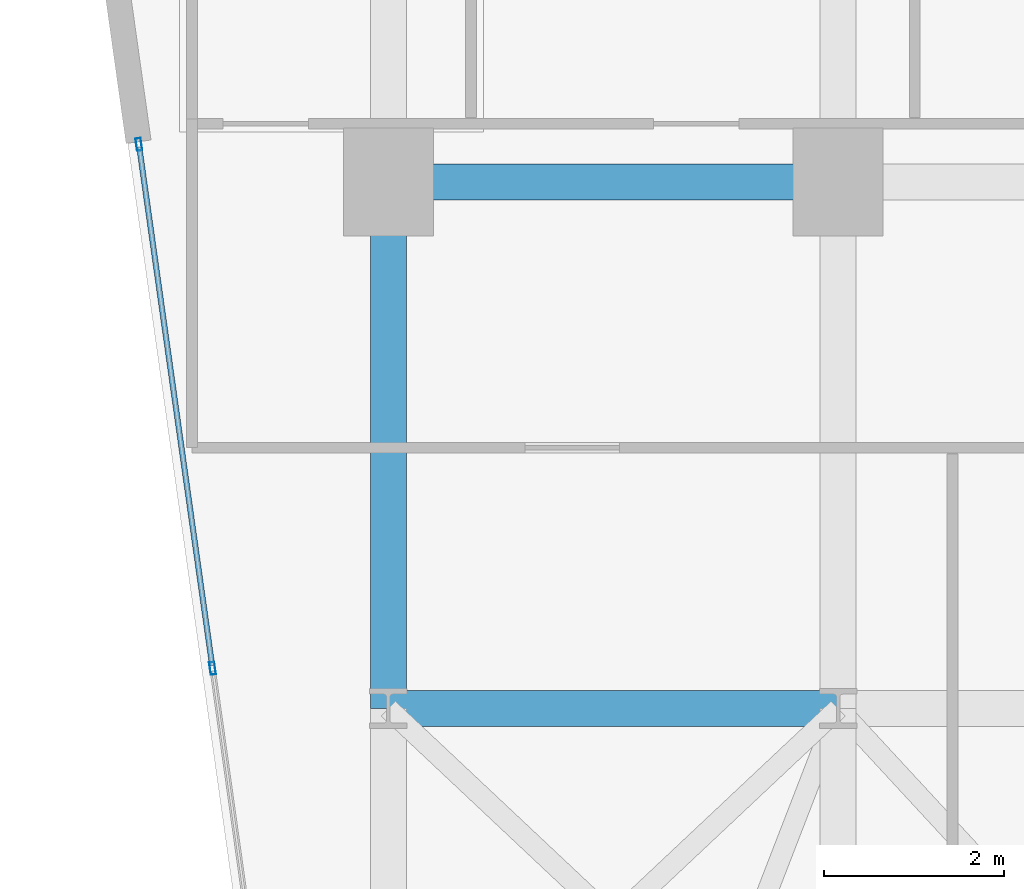
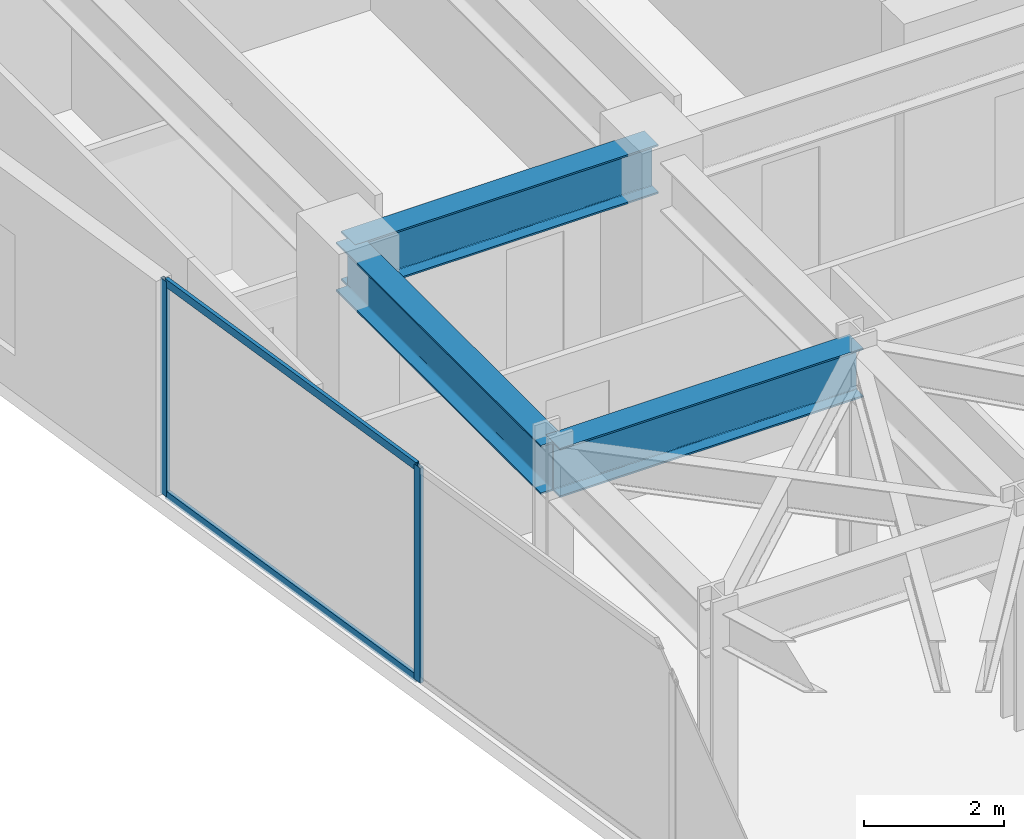
# One storey, part 11 of 26: 4 members, 3 beams, 1 element without a shape of its own.
"""IFC4 building model written with IfcOpenShell, lengths in metres."""

from ifc_helpers import new_model, si_unit, direction, frame, origin, origin_2d, place, context, subcontext, project, spatial, hollow_rectangle, i_section, extrude, material, layer, layer_set, material_profile, profile_set, type_object, element, aggregate, save


model = new_model("IFC4")

# Units and contexts
model_context = context("Model", 3, precision=1e-05, world=origin(), true_north=direction((0.0, 1.0)))
body_context = subcontext(model_context, "Body", "Model", "MODEL_VIEW")
ifc_project = project(units=[si_unit("LENGTHUNIT", "METRE"), si_unit("AREAUNIT", "SQUARE_METRE"), si_unit("VOLUMEUNIT", "CUBIC_METRE"), si_unit("PLANEANGLEUNIT", "RADIAN"), si_unit("MASSUNIT", "GRAM", prefix="KILO")], contexts=[model_context])

# Site, building, storey
site_placement = place(None, origin())
site = spatial("IfcSite", under=ifc_project, at=site_placement, CompositionType="ELEMENT")
building_placement = place(site_placement, origin())
building = spatial("IfcBuilding", under=site, at=building_placement, Name="Kravanh Interchange Tower", CompositionType="ELEMENT")
storey_placement = place(building_placement, frame((0.0, 0.0, 132.0)))
storey = spatial("IfcBuildingStorey", under=building, at=storey_placement, Name="L31", CompositionType="ELEMENT", Elevation=132.0)

# Curtain wall, members
ifc_material_1 = material(Name="Anodised Bronze Aluminium", Category="aluminium")
ifc_layer = layer(ifc_material_1, 0.179931640625)
ifc_layer_set = layer_set([ifc_layer], Name="Unitised Curtain Wall System CW-Z2 Mid Office")
curtain_wall_type = type_object("IfcCurtainWallType", Name="Unitised Curtain Wall System CW-Z2 Mid Office", PredefinedType="NOTDEFINED", material=ifc_layer_set)
curtain_wall_placement = place(storey_placement, origin())
curtain_wall = element("IfcCurtainWall", 1, at=curtain_wall_placement, inside=storey, type_object=curtain_wall_type, Name="L31 Unitised Curtain Wall CW-L31-01", PredefinedType="NOTDEFINED")
ifc_material_2 = material(Name="Anodised Bronze Aluminium", Category="aluminium")
ifc_material_profile_1 = material_profile(ifc_material_2, hollow_rectangle(XDim=0.06005859375, YDim=0.139892578125, WallThickness=0.00390625, at=origin_2d()), Name="ALU60X140X4")
ifc_profile_set_1 = profile_set([ifc_material_profile_1], Name="Anodised Bronze Aluminium")
member_type_1 = type_object("IfcMemberType", Name="Curtain Wall Mullion ALU60X140X4 Bronze", PredefinedType="MULLION", material=ifc_profile_set_1)
member_1_placement = place(storey_placement, frame((11.6474609375, 31.94775390625, 0.0), z_axis=(0.0, 0.0, 1.0), x_axis=(-0.990268103846, -0.13917285118, 0.0)))
member_1 = element("IfcMember", 2, at=member_1_placement, type_object=member_type_1, Name="CW-Z2 mullion 5", PredefinedType="MULLION", context=body_context, shape_type="SweptSolid", body=[
    extrude(hollow_rectangle(XDim=0.06005859375, YDim=0.139892578125, WallThickness=0.00390625, at=origin_2d()), origin(), (0.0, 0.0, 1.0), 3.75),
])
member_2_placement = place(storey_placement, frame((10.8291015625, 37.770263671875, 0.0), z_axis=(0.0, 0.0, 1.0), x_axis=(-0.990268103846, -0.13917285118, 0.0)))
member_2 = element("IfcMember", 3, at=member_2_placement, type_object=member_type_1, Name="CW-Z2 mullion 6", PredefinedType="MULLION", context=body_context, shape_type="SweptSolid", body=[
    extrude(hollow_rectangle(XDim=0.06005859375, YDim=0.139892578125, WallThickness=0.00390625, at=origin_2d()), origin(), (0.0, 0.0, 1.0), 3.75),
])
ifc_material_3 = material(Name="Anodised Bronze Aluminium", Category="aluminium")
ifc_material_profile_2 = material_profile(ifc_material_3, hollow_rectangle(XDim=0.06005859375, YDim=0.139892578125, WallThickness=0.00390625, at=origin_2d()), Name="ALU60X140X4")
ifc_profile_set_2 = profile_set([ifc_material_profile_2], Name="Anodised Bronze Aluminium")
member_type_2 = type_object("IfcMemberType", Name="Curtain Wall Transom ALU60X140X4 Bronze", PredefinedType="USERDEFINED", material=ifc_profile_set_2)
member_3_placement = place(storey_placement, frame((11.643310546875, 31.9775390625, 0.030029296875), z_axis=(-0.139195052528, 0.990264983402, 0.0), x_axis=(-0.990264983402, -0.139195052528, 0.0)))
member_3 = element("IfcMember", 4, at=member_3_placement, type_object=member_type_2, Name="CW-Z2 transom 5.1", ObjectType="TRANSOM", PredefinedType="USERDEFINED", context=body_context, shape_type="SweptSolid", body=[
    extrude(hollow_rectangle(XDim=0.06005859375, YDim=0.139892578125, WallThickness=0.00390625, at=origin_2d()), origin(), (0.0, 0.0, 1.0), 5.819580078125),
])
member_4_placement = place(storey_placement, frame((11.643310546875, 31.9775390625, 3.719970703125), z_axis=(-0.139195052528, 0.990264983402, 0.0), x_axis=(-0.990264983402, -0.139195052528, 0.0)))
member_4 = element("IfcMember", 5, at=member_4_placement, type_object=member_type_2, Name="CW-Z2 transom 5.2", ObjectType="TRANSOM", PredefinedType="USERDEFINED", context=body_context, shape_type="SweptSolid", body=[
    extrude(hollow_rectangle(XDim=0.06005859375, YDim=0.139892578125, WallThickness=0.00390625, at=origin_2d()), origin(), (0.0, 0.0, 1.0), 5.819580078125),
])
aggregate(curtain_wall, [member_1, member_2, member_3, member_4])

# Beams
ifc_material_4 = material(Name="Structural Steel S355", Category="steel")
ifc_material_profile_3 = material_profile(ifc_material_4, i_section(OverallWidth=0.39990234375, OverallDepth=0.85595703125, WebThickness=0.018310546875, FlangeThickness=0.029296875, FilletRadius=0.02490234375, at=origin_2d()), Name="W33X201")
ifc_profile_set_3 = profile_set([ifc_material_profile_3], Name="Structural Steel S355")
beam_type = type_object("IfcBeamType", Name="Floor Beam W33X201 Structural Steel S355", PredefinedType="BEAM", material=ifc_profile_set_3)
beam_1_placement = place(storey_placement, frame((18.60009765625, 37.35009765625, 3.322021484375), z_axis=(-1.0, 0.0, 0.0), x_axis=(0.0, -1.0, 0.0)))
element("IfcBeam", 6, at=beam_1_placement, inside=storey, type_object=beam_type, Name="L31 Primary Floor Girder 28", PredefinedType="BEAM", context=body_context, shape_type="SweptSolid", body=[
    extrude(i_section(OverallWidth=0.39990234375, OverallDepth=0.85595703125, WebThickness=0.018310546875, FlangeThickness=0.029296875, FilletRadius=0.02490234375, at=origin_2d()), origin(), (0.0, 0.0, 1.0), 5.0),
])
beam_2_placement = place(storey_placement, frame((13.60009765625, 37.35009765625, 3.322021484375), z_axis=(0.0, -1.0, 0.0), x_axis=(1.0, 0.0, 0.0)))
element("IfcBeam", 7, at=beam_2_placement, inside=storey, type_object=beam_type, Name="L31 Primary Floor Girder 32", PredefinedType="BEAM", context=body_context, shape_type="SweptSolid", body=[
    extrude(i_section(OverallWidth=0.39990234375, OverallDepth=0.85595703125, WebThickness=0.018310546875, FlangeThickness=0.029296875, FilletRadius=0.02490234375, at=origin_2d()), origin(), (0.0, 0.0, 1.0), 5.85009765625),
])
beam_3_placement = place(storey_placement, frame((13.60009765625, 31.5, 3.322021484375), z_axis=(1.0, 0.0, 0.0), x_axis=(0.0, 1.0, 0.0)))
element("IfcBeam", 8, at=beam_3_placement, inside=storey, type_object=beam_type, Name="L31 Primary Floor Girder 69", PredefinedType="BEAM", context=body_context, shape_type="SweptSolid", body=[
    extrude(i_section(OverallWidth=0.39990234375, OverallDepth=0.85595703125, WebThickness=0.018310546875, FlangeThickness=0.029296875, FilletRadius=0.02490234375, at=origin_2d()), origin(), (0.0, 0.0, 1.0), 5.0),
])

save(model, "model.ifc")
